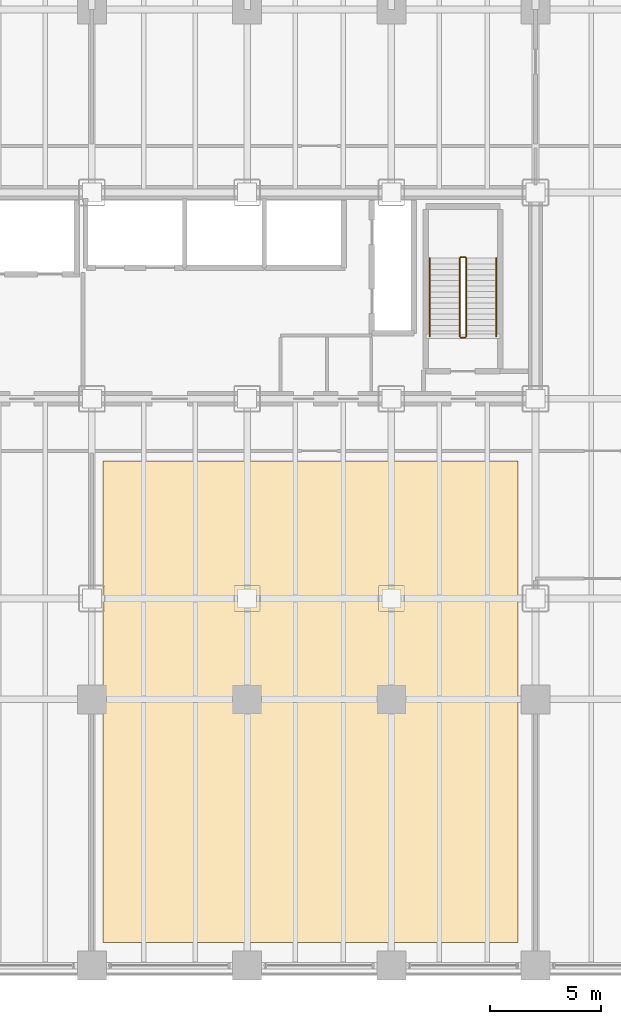
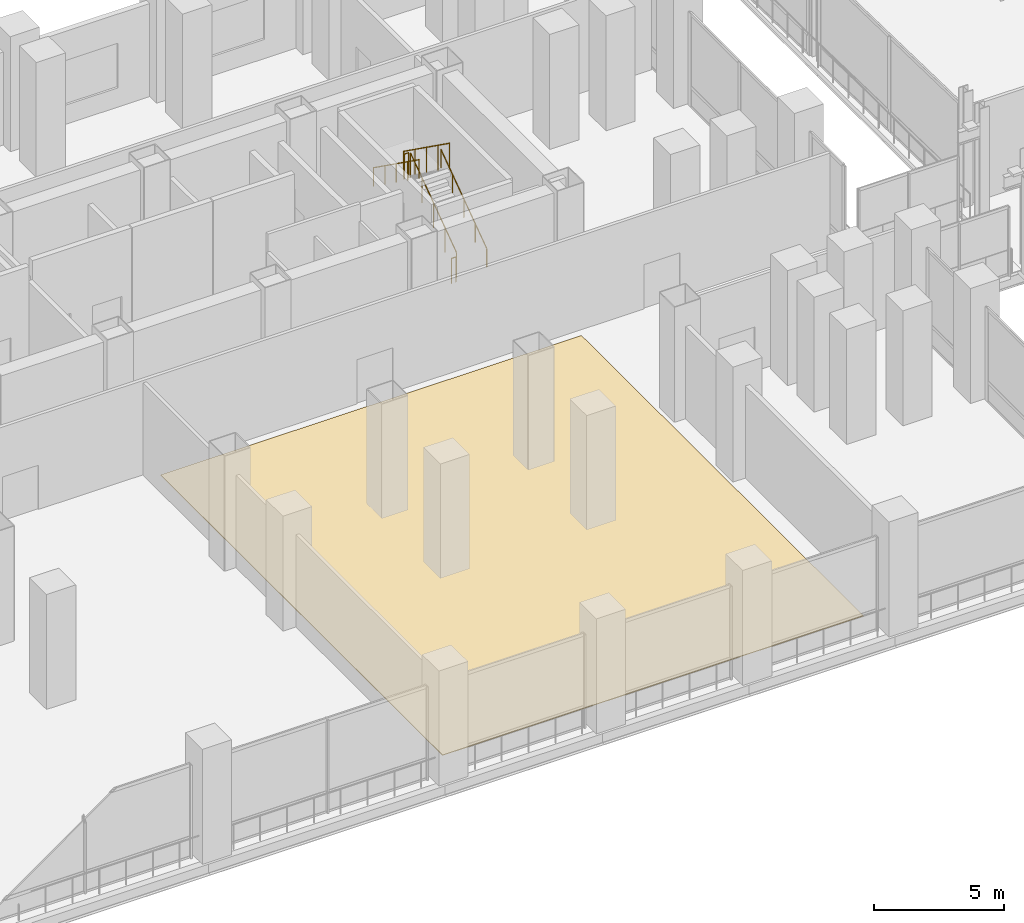
# One storey, part 28 of 31: 6 railings, 1 covering.
"""IFC4 building model written with IfcOpenShell, lengths in metres."""

from ifc_helpers import new_model, si_unit, direction, frame, origin, origin_2d, place, context, subcontext, project, spatial, polyline, circle, outline, extrude, material, layer, layer_set, type_object, element, save


model = new_model("IFC4")

# Units and contexts
model_context = context("Model", 3, precision=1e-05, world=origin(), true_north=direction((0.0, 1.0)))
body_context = subcontext(model_context, "Body", "Model", "MODEL_VIEW")
ifc_project = project(units=[si_unit("LENGTHUNIT", "METRE"), si_unit("AREAUNIT", "SQUARE_METRE"), si_unit("VOLUMEUNIT", "CUBIC_METRE"), si_unit("PLANEANGLEUNIT", "RADIAN"), si_unit("MASSUNIT", "GRAM", prefix="KILO")], contexts=[model_context])

# Site, building, storey
site_placement = place(None, origin())
site = spatial("IfcSite", under=ifc_project, at=site_placement, CompositionType="ELEMENT")
building_placement = place(site_placement, origin())
building = spatial("IfcBuilding", under=site, at=building_placement, Name="Noeulbin Bourse Tower", CompositionType="ELEMENT")
storey_placement = place(building_placement, frame((0.0, 0.0, 11.199951171875)))
storey = spatial("IfcBuildingStorey", under=building, at=storey_placement, Name="L03", CompositionType="ELEMENT", Elevation=11.199951171875)

# Covering
ifc_material_1 = material(Name="Honed Geumjeong Granite Paving", Category="masonry")
ifc_layer_1 = layer(ifc_material_1, 0.030029296875)
ifc_layer_set_1 = layer_set([ifc_layer_1], Name="Honed Geumjeong Granite Paving")
covering_type = type_object("IfcCoveringType", Name="COV-FLR-STN", PredefinedType="FLOORING", material=ifc_layer_set_1)
covering_placement = place(storey_placement, origin())
element("IfcCovering", 1, at=covering_placement, inside=storey, type_object=covering_type, Name="Granite Concourse Flooring L03", PredefinedType="FLOORING", context=body_context, shape_type="SweptSolid", body=[
    extrude(outline(polyline([(24.5, 4.5), (43.199951171875, 4.5), (43.199951171875, 26.199951171875), (24.5, 26.199951171875), (24.5, 4.5)])), origin(), (0.0, 0.0, 1.0), 0.030029296875),
])

# Railings
ifc_material_2 = material(Name="Painted Tubular Steel S355", Category="steel")
ifc_layer_2 = layer(ifc_material_2, 0.048095703125)
ifc_layer_set_2 = layer_set([ifc_layer_2], Name="Painted Tubular Steel S355")
railing_type_1 = type_object("IfcRailingType", Name="RLG-STR-GRD", PredefinedType="GUARDRAIL", material=ifc_layer_set_2)
railing_1_placement = place(storey_placement, frame((40.8798828125, 31.81005859375, 0.179931640625)))
element("IfcRailing", 2, at=railing_1_placement, inside=storey, type_object=railing_type_1, Name="L03 ST-2 stair guard 1", PredefinedType="GUARDRAIL", context=body_context, shape_type="SweptSolid", body=[
    extrude(circle(Radius=0.02392578125, at=origin_2d()), frame((0.0, 0.0, 1.17578125), z_axis=(0.0, 0.813718251284, 0.581259501021), x_axis=(-1.0, 0.0, 0.0)), (0.0, 0.0, 1.0), 4.33544921875),
    extrude(circle(Radius=0.02099609375, at=origin_2d()), origin(), (0.0, 0.0, 1.0), 1.15185546875),
    extrude(circle(Radius=0.02099609375, at=origin_2d()), frame((0.0, 0.8818359375, 0.6298828125)), (0.0, 0.0, 1.0), 1.15185546875),
    extrude(circle(Radius=0.02099609375, at=origin_2d()), frame((0.0, 1.763916015625, 1.260009765625)), (0.0, 0.0, 1.0), 1.15185546875),
    extrude(circle(Radius=0.02099609375, at=origin_2d()), frame((0.0, 2.64599609375, 1.89013671875)), (0.0, 0.0, 1.0), 1.15185546875),
    extrude(circle(Radius=0.02099609375, at=origin_2d()), frame((0.0, 3.52783203125, 2.52001953125)), (0.0, 0.0, 1.0), 1.15185546875),
])
railing_2_placement = place(storey_placement, frame((40.830078125, 35.387939453125, 2.699951171875)))
element("IfcRailing", 3, at=railing_2_placement, inside=storey, type_object=railing_type_1, Name="L03 ST-2 stair guard 2", PredefinedType="GUARDRAIL", context=body_context, shape_type="SweptSolid", body=[
    extrude(circle(Radius=0.02392578125, at=origin_2d()), frame((0.0, 0.0, 1.17578125), z_axis=(-1.0, 0.0, 0.0), x_axis=(0.0, -1.0, 0.0)), (0.0, 0.0, 1.0), 0.2001953125),
    extrude(circle(Radius=0.02099609375, at=origin_2d()), origin(), (0.0, 0.0, 1.0), 1.15185546875),
    extrude(circle(Radius=0.02099609375, at=origin_2d()), frame((-0.2001953125, 0.0, 0.0)), (0.0, 0.0, 1.0), 1.15185546875),
])
railing_3_placement = place(storey_placement, frame((40.580078125, 35.337890625, 2.880126953125)))
element("IfcRailing", 4, at=railing_3_placement, inside=storey, type_object=railing_type_1, Name="L03 ST-2 stair guard 3", PredefinedType="GUARDRAIL", context=body_context, shape_type="SweptSolid", body=[
    extrude(circle(Radius=0.02392578125, at=origin_2d()), frame((0.0, 0.0, 1.17578125), z_axis=(0.0, -0.813718251284, 0.581259501021), x_axis=(1.0, 0.0, 0.0)), (0.0, 0.0, 1.0), 4.33544921875),
    extrude(circle(Radius=0.02099609375, at=origin_2d()), origin(), (0.0, 0.0, 1.0), 1.15185546875),
    extrude(circle(Radius=0.02099609375, at=origin_2d()), frame((0.0, -0.8818359375, 0.6298828125)), (0.0, 0.0, 1.0), 1.15185546875),
    extrude(circle(Radius=0.02099609375, at=origin_2d()), frame((0.0, -1.763916015625, 1.260009765625)), (0.0, 0.0, 1.0), 1.15185546875),
    extrude(circle(Radius=0.02099609375, at=origin_2d()), frame((0.0, -2.64599609375, 1.89013671875)), (0.0, 0.0, 1.0), 1.15185546875),
    extrude(circle(Radius=0.02099609375, at=origin_2d()), frame((0.0, -3.52783203125, 2.52001953125)), (0.0, 0.0, 1.0), 1.15185546875),
])
railing_4_placement = place(storey_placement, frame((40.830078125, 31.760009765625, 0.0)))
element("IfcRailing", 5, at=railing_4_placement, inside=storey, type_object=railing_type_1, Name="L03 ST-2 stair guard 4", PredefinedType="GUARDRAIL", context=body_context, shape_type="SweptSolid", body=[
    extrude(circle(Radius=0.02392578125, at=origin_2d()), frame((0.0, 0.0, 1.17578125), z_axis=(-1.0, 0.0, 0.0), x_axis=(0.0, -1.0, 0.0)), (0.0, 0.0, 1.0), 0.2001953125),
    extrude(circle(Radius=0.02099609375, at=origin_2d()), origin(), (0.0, 0.0, 1.0), 1.15185546875),
    extrude(circle(Radius=0.02099609375, at=origin_2d()), frame((-0.2001953125, 0.0, 0.0)), (0.0, 0.0, 1.0), 1.15185546875),
])
ifc_material_3 = material(Name="Brushed Stainless Steel 316", Category="steel")
ifc_layer_3 = layer(ifc_material_3, 0.048095703125)
ifc_layer_set_3 = layer_set([ifc_layer_3], Name="Brushed Stainless Steel 316")
railing_type_2 = type_object("IfcRailingType", Name="RLG-STR-HND", PredefinedType="HANDRAIL", material=ifc_layer_set_3)
railing_5_placement = place(storey_placement, frame((42.22998046875, 31.81005859375, 0.179931640625)))
element("IfcRailing", 6, at=railing_5_placement, inside=storey, type_object=railing_type_2, Name="L03 ST-2 stair handrail 1", PredefinedType="HANDRAIL", context=body_context, shape_type="SweptSolid", body=[
    extrude(circle(Radius=0.02392578125, at=origin_2d()), frame((0.0, 0.0, 0.8759765625), z_axis=(0.0, 0.813718251284, 0.581259501021), x_axis=(-1.0, 0.0, 0.0)), (0.0, 0.0, 1.0), 4.33544921875),
    extrude(circle(Radius=0.02099609375, at=origin_2d()), origin(), (0.0, 0.0, 1.0), 0.851806640625),
    extrude(circle(Radius=0.02099609375, at=origin_2d()), frame((0.0, 0.8818359375, 0.6298828125)), (0.0, 0.0, 1.0), 0.851806640625),
    extrude(circle(Radius=0.02099609375, at=origin_2d()), frame((0.0, 1.763916015625, 1.260009765625)), (0.0, 0.0, 1.0), 0.851806640625),
    extrude(circle(Radius=0.02099609375, at=origin_2d()), frame((0.0, 2.64599609375, 1.89013671875)), (0.0, 0.0, 1.0), 0.851806640625),
    extrude(circle(Radius=0.02099609375, at=origin_2d()), frame((0.0, 3.52783203125, 2.52001953125)), (0.0, 0.0, 1.0), 0.851806640625),
])
railing_6_placement = place(storey_placement, frame((39.22998046875, 35.337890625, 2.880126953125)))
element("IfcRailing", 7, at=railing_6_placement, inside=storey, type_object=railing_type_2, Name="L03 ST-2 stair handrail 2", PredefinedType="HANDRAIL", context=body_context, shape_type="SweptSolid", body=[
    extrude(circle(Radius=0.02392578125, at=origin_2d()), frame((0.0, 0.0, 0.8759765625), z_axis=(0.0, -0.813718251284, 0.581259501021), x_axis=(1.0, 0.0, 0.0)), (0.0, 0.0, 1.0), 4.33544921875),
    extrude(circle(Radius=0.02099609375, at=origin_2d()), origin(), (0.0, 0.0, 1.0), 0.851806640625),
    extrude(circle(Radius=0.02099609375, at=origin_2d()), frame((0.0, -0.8818359375, 0.6298828125)), (0.0, 0.0, 1.0), 0.851806640625),
    extrude(circle(Radius=0.02099609375, at=origin_2d()), frame((0.0, -1.763916015625, 1.260009765625)), (0.0, 0.0, 1.0), 0.851806640625),
    extrude(circle(Radius=0.02099609375, at=origin_2d()), frame((0.0, -2.64599609375, 1.89013671875)), (0.0, 0.0, 1.0), 0.851806640625),
    extrude(circle(Radius=0.02099609375, at=origin_2d()), frame((0.0, -3.52783203125, 2.52001953125)), (0.0, 0.0, 1.0), 0.851806640625),
])

save(model, "model.ifc")
